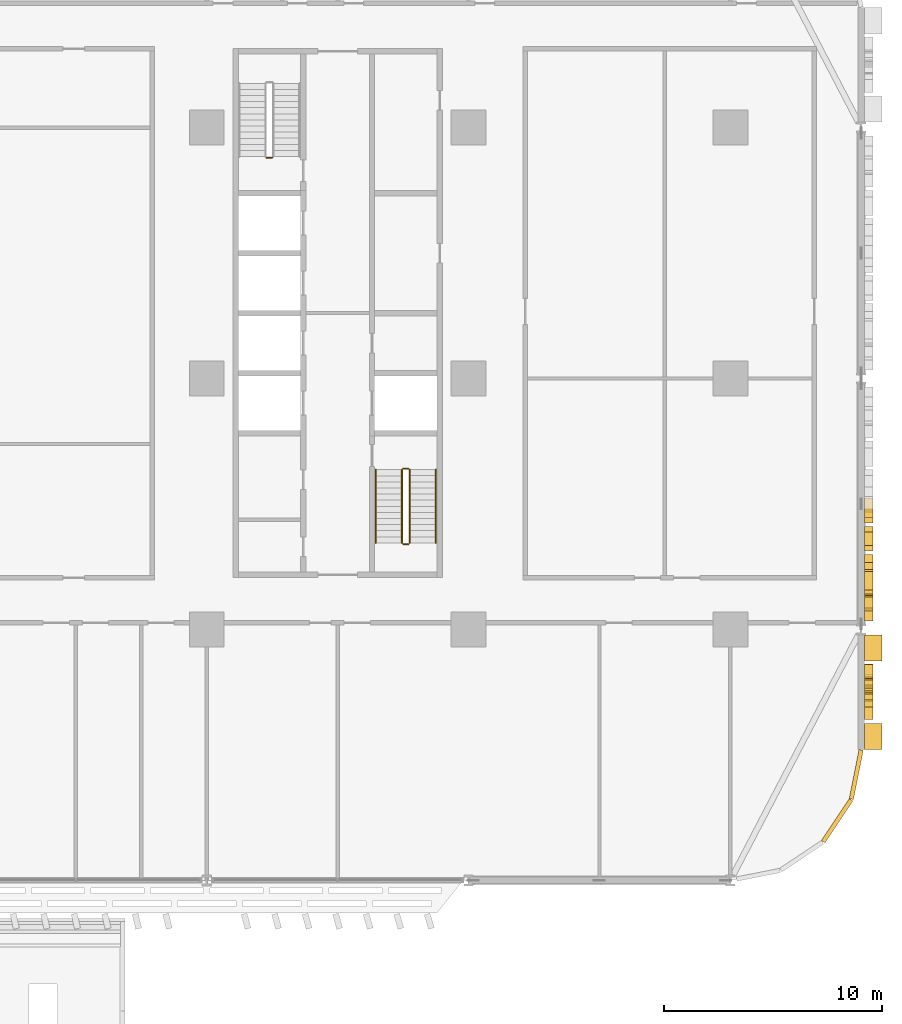
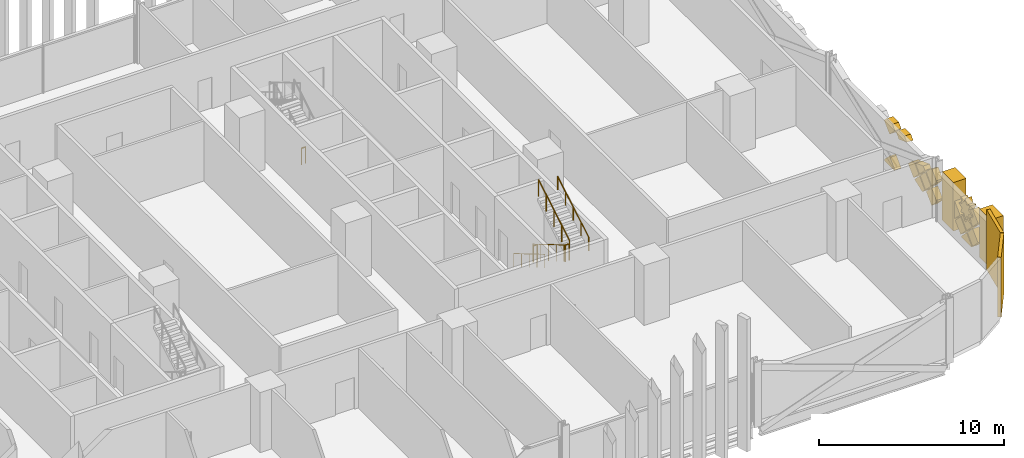
# One storey, part 29 of 31: 20 coverings, 7 railings.
"""IFC4 building model written with IfcOpenShell, lengths in metres."""

import ifcopenshell
import ifcopenshell.guid

model = None  # the IFC model being written
_history = None  # IfcOwnerHistory: only IFC2X3 demands one
_inside = {}  # id of a spatial element -> (the spatial element, [elements in it])
_under = {}  # id of a project, library or spatial element -> (it, [spatial elements below it])
_declared = {}  # id of a project -> (the project, [libraries it declares])
_typed = {}  # id of a type object -> (the type object, [elements of that type])
_made_of = {}  # id of a material, layer set ... -> (it, [elements and type objects made of it])


def new_model(schema):
    """Start an empty IFC model of exactly this schema.

    Asked for "IFC4X3", IfcOpenShell would pick the latest addendum, in which some entities
    have other attributes; the version numbers below select the first issue.
    IFC2X3 requires an IfcOwnerHistory on every rooted entity: one is made here for all.
    """
    global model, _history
    if schema == "IFC4X3":
        model = ifcopenshell.file(schema_version=(4, 3, 0, 0))
    else:
        model = ifcopenshell.file(schema=schema)
    _inside.clear()
    _under.clear()
    _declared.clear()
    _typed.clear()
    _made_of.clear()
    _history = None
    if model.schema == "IFC2X3":
        org = make("IfcOrganization", Name="unknown")
        user = make(
            "IfcPersonAndOrganization",
            ThePerson=make("IfcPerson", FamilyName="unknown"),
            TheOrganization=org,
        )
        app = make(
            "IfcApplication",
            ApplicationDeveloper=org,
            Version="unknown",
            ApplicationFullName="unknown",
            ApplicationIdentifier="unknown",
        )
        _history = make(
            "IfcOwnerHistory",
            OwningUser=user,
            OwningApplication=app,
            ChangeAction="ADDED",
            CreationDate=0,
        )
    return model


def make(cls, **values):
    """One entity of the class cls with the attributes given. An attribute that is None is left unset."""
    return model.create_entity(
        cls, **{name: value for name, value in values.items() if value is not None}
    )


def rooted(cls, **values):
    """An entity with a GlobalId (a new one), such as an element, a storey or a relation."""
    return make(cls, GlobalId=ifcopenshell.guid.new(), OwnerHistory=_history, **values)


def si_unit(unit_type, name, prefix=None):
    """IfcSIUnit, for example si_unit("LENGTHUNIT", "METRE", prefix="MILLI")."""
    return make("IfcSIUnit", UnitType=unit_type, Prefix=prefix, Name=name)


def assignment(units):
    """IfcUnitAssignment: the units of a project."""
    return None if units is None else make("IfcUnitAssignment", Units=units)


def point(xyz):
    """IfcCartesianPoint."""
    return None if xyz is None else make("IfcCartesianPoint", Coordinates=xyz)


def direction(xyz):
    """IfcDirection."""
    return None if xyz is None else make("IfcDirection", DirectionRatios=xyz)


def frame(location, z_axis=None, x_axis=None):
    """IfcAxis2Placement3D, a coordinate frame: its origin and axes. An axis left out is left unset."""
    return make(
        "IfcAxis2Placement3D",
        Location=point(location),
        Axis=direction(z_axis),
        RefDirection=direction(x_axis),
    )


def frame_2d(location, x_axis=None):
    """IfcAxis2Placement2D, a coordinate frame in the plane: its origin and x axis."""
    return make(
        "IfcAxis2Placement2D", Location=point(location), RefDirection=direction(x_axis)
    )


def origin():
    """The frame at (0, 0, 0) with its axes left unset."""
    return frame((0.0, 0.0, 0.0))


def origin_2d():
    """The frame at (0, 0) in the plane with its x axis left unset."""
    return frame_2d((0.0, 0.0))


def place(relative_to, where):
    """IfcLocalPlacement: puts the frame where relative to a parent placement (None: the world)."""
    return make(
        "IfcLocalPlacement", PlacementRelTo=relative_to, RelativePlacement=where
    )


def context(
    kind, dimensions, precision=None, world=None, true_north=None, identifier=None
):
    """IfcGeometricRepresentationContext, for example the 3D "Model" context."""
    return make(
        "IfcGeometricRepresentationContext",
        ContextIdentifier=identifier,
        ContextType=kind,
        CoordinateSpaceDimension=dimensions,
        Precision=precision,
        WorldCoordinateSystem=world,
        TrueNorth=true_north,
    )


def subcontext(parent, identifier, kind, view, scale=None):
    """IfcGeometricRepresentationSubContext, for example "Body" below "Model"."""
    return make(
        "IfcGeometricRepresentationSubContext",
        ContextIdentifier=identifier,
        ContextType=kind,
        ParentContext=parent,
        TargetScale=scale,
        TargetView=view,
    )


def project(units=None, contexts=None):
    """IfcProject with its units and contexts."""
    return rooted(
        "IfcProject",
        Name="project",
        RepresentationContexts=contexts,
        UnitsInContext=assignment(units),
    )


def spatial(cls, under=None, at=None, **own):
    """A site, building, storey or space (cls), placed at a placement, below another one or the project."""
    s = rooted(cls, ObjectPlacement=at, **own)
    if under is not None:
        _under.setdefault(under.id(), (under, []))[1].append(s)
    return s


def polyline(points):
    """IfcPolyline through the points."""
    return make("IfcPolyline", Points=[point(p) for p in points])


def profile(cls, at=None, kind="AREA", **sizes):
    """A parametric profile (cls). Its sizes go by their IFC names, for example OverallWidth=200.0."""
    return make(cls, ProfileType=kind, Position=at, **sizes)


def rectangle(**sizes):
    """IfcRectangleProfileDef."""
    return profile("IfcRectangleProfileDef", **sizes)


def circle(**sizes):
    """IfcCircleProfileDef."""
    return profile("IfcCircleProfileDef", **sizes)


def outline(outer, holes=None, kind="AREA"):
    """IfcArbitraryClosedProfileDef: a profile drawn as a closed curve; with holes, ...WithVoids."""
    if holes is None:
        return make("IfcArbitraryClosedProfileDef", ProfileType=kind, OuterCurve=outer)
    return make(
        "IfcArbitraryProfileDefWithVoids",
        ProfileType=kind,
        OuterCurve=outer,
        InnerCurves=holes,
    )


def extrude(swept, where, along, depth):
    """IfcExtrudedAreaSolid: the profile swept, set in the frame where, extruded along a direction by depth."""
    return make(
        "IfcExtrudedAreaSolid",
        SweptArea=swept,
        Position=where,
        ExtrudedDirection=direction(along),
        Depth=depth,
    )


def shape(context_of_items, identifier, shape_type, items):
    """IfcShapeRepresentation: the items that make up one representation, for example the "Body"."""
    return make(
        "IfcShapeRepresentation",
        ContextOfItems=context_of_items,
        RepresentationIdentifier=identifier,
        RepresentationType=shape_type,
        Items=items,
    )


def material(Name=None, Category=None):
    """IfcMaterial."""
    return make("IfcMaterial", Name=Name, Category=Category)


def layer(
    of_material, thickness, ventilated=None, Name=None, Category=None, Priority=None
):
    """IfcMaterialLayer: one layer of a wall or slab, of a material (None: an air gap)."""
    return make(
        "IfcMaterialLayer",
        Material=of_material,
        LayerThickness=thickness,
        IsVentilated=ventilated,
        Name=Name,
        Category=Category,
        Priority=Priority,
    )


def layer_set(layers, Name=None):
    """IfcMaterialLayerSet."""
    return make("IfcMaterialLayerSet", MaterialLayers=layers, LayerSetName=Name)


def made_of(thing, what):
    """Note that an element or type object is made of a material, layer set ...; save() writes the relation."""
    if what is not None:
        _made_of.setdefault(what.id(), (what, []))[1].append(thing)
    return thing


def type_object(cls, material=None, **own):
    """A type object (cls), such as IfcWallType, which elements share."""
    return made_of(rooted(cls, **own), material)


def element(
    cls,
    number,
    at=None,
    inside=None,
    cuts=None,
    type_object=None,
    material=None,
    context=None,
    identifier="Body",
    shape_type=None,
    held_by="IfcProductDefinitionShape",
    body=None,
    shapes=None,
    **own,
):
    """One element of the class cls, such as IfcWall. Its Tag is "e" and its number.

    at: its placement. inside: the storey or other place that contains it. cuts: it is an
    opening in that element (IfcRelVoidsElement). A single representation is given by context,
    identifier, shape_type and body (its items); several are given by shapes. held_by: the class
    of the entity that holds the representations. save() writes the other relations.
    """
    e = rooted(cls, Tag="e%d" % number, ObjectPlacement=at, **own)
    if body is not None:
        shapes = [shape(context, identifier, shape_type, body)]
    if shapes is not None:
        e.Representation = make(held_by, Representations=shapes)
    if inside is not None:
        _inside.setdefault(inside.id(), (inside, []))[1].append(e)
    if cuts is not None:
        rooted(
            "IfcRelVoidsElement", RelatingBuildingElement=cuts, RelatedOpeningElement=e
        )
    if type_object is not None:
        _typed.setdefault(type_object.id(), (type_object, []))[1].append(e)
    return made_of(e, material)


def aggregate(whole, parts):
    """IfcRelAggregates: a whole, such as a stair, and the parts it consists of."""
    return rooted("IfcRelAggregates", RelatingObject=whole, RelatedObjects=parts)


def save(model, path):
    """Write the relations noted so far, then the file.

    IfcRelAggregates (storeys below a building ...), IfcRelContainedInSpatialStructure (elements
    in a storey), IfcRelDefinesByType, IfcRelAssociatesMaterial and IfcRelDeclares: one each for
    every whole, place, type object, material and project.
    """
    for whole, parts in _under.values():
        aggregate(whole, parts)
    for where, things in _inside.values():
        rooted(
            "IfcRelContainedInSpatialStructure",
            RelatedElements=things,
            RelatingStructure=where,
        )
    for kind, things in _typed.values():
        rooted("IfcRelDefinesByType", RelatedObjects=things, RelatingType=kind)
    for what, things in _made_of.values():
        rooted("IfcRelAssociatesMaterial", RelatedObjects=things, RelatingMaterial=what)
    for by, libraries in _declared.values():
        rooted("IfcRelDeclares", RelatingContext=by, RelatedDefinitions=libraries)
    model.write(path)


model = new_model("IFC4")

# Units and contexts
model_context = context("Model", 3, precision=1e-05, world=origin(), true_north=direction((0.0, 1.0)))
body_context = subcontext(model_context, "Body", "Model", "MODEL_VIEW")
ifc_project = project(units=[si_unit("LENGTHUNIT", "METRE"), si_unit("AREAUNIT", "SQUARE_METRE"), si_unit("VOLUMEUNIT", "CUBIC_METRE"), si_unit("PLANEANGLEUNIT", "RADIAN"), si_unit("MASSUNIT", "GRAM", prefix="KILO")], contexts=[model_context])

# Site, building, storey
site_placement = place(None, origin())
site = spatial("IfcSite", under=ifc_project, at=site_placement, CompositionType="ELEMENT")
building_placement = place(site_placement, origin())
building = spatial("IfcBuilding", under=site, at=building_placement, Name="Mahtab Terrace Research Tower", CompositionType="ELEMENT")
storey_placement = place(building_placement, frame((0.0, 0.0, 11.5)))
storey = spatial("IfcBuildingStorey", under=building, at=storey_placement, Name="L02", CompositionType="ELEMENT", Elevation=11.5)

# Coverings
ifc_material_1 = material(Name="Black aluminium cladding panel", Category="aluminium")
ifc_layer_1 = layer(ifc_material_1, 0.199951171875)
ifc_layer_set_1 = layer_set([ifc_layer_1], Name="Black metal corner cladding 200")
covering_type_1 = type_object("IfcCoveringType", Name="Black metal corner cladding 200", PredefinedType="CLADDING", material=ifc_layer_set_1)
for number, where, z_axis, x_axis, name in (
    (1, (46.89306640625, -20.26953125, 0.0), (0.0, 0.0, 1.0), (0.555291490808, 0.831655794326, 0.0), "Corner cladding L02 31"),
    (2, (47.771484375, -18.14794921875, 0.0), (0.0, 0.0, 1.0), (0.195212442692, 0.980760981187, 0.0), "Corner cladding L02 32"),
):
    element("IfcCovering", number, at=place(storey_placement, frame(where, z_axis=z_axis, x_axis=x_axis)), inside=storey, type_object=covering_type_1, Name=name, PredefinedType="CLADDING", context=body_context, shape_type="SweptSolid", body=[
        extrude(rectangle(XDim=2.30126953125, YDim=0.199951171875, at=origin_2d()), origin(), (0.0, 0.0, 1.0), 3.9599609375),
    ])
ifc_material_2 = material(Name="Bronze anodised aluminium", Category="aluminium")
ifc_layer_2 = layer(ifc_material_2, 0.39990234375)
ifc_layer_set_2 = layer_set([ifc_layer_2], Name="Mashrabiya relief panel 400")
covering_type_2 = type_object("IfcCoveringType", Name="Mashrabiya relief panel 400", PredefinedType="CLADDING", material=ifc_layer_set_2)
covering_1_placement = place(storey_placement, frame((48.14990234375, -14.10498046875, 2.60107421875), z_axis=(-1.0, 0.0, 0.0), x_axis=(0.0, 0.924784909208, 0.380490304346)))
element("IfcCovering", 3, at=covering_1_placement, inside=storey, type_object=covering_type_2, Name="Girih star panel L02 E33.1", PredefinedType="CLADDING", context=body_context, shape_type="SweptSolid", body=[
    extrude(outline(polyline([(0.0, 0.0), (0.3785719822676483, 0.0), (0.11215445471266995, 0.26895807623038387), (0.37961207055159285, 0.5358142483447127), (0.0017974035497291263, 0.5371818243111587), (0.0017974035497291263, 0.9157538065788071), (-0.26716067268065474, 0.6493362790238286), (-0.5340168447949836, 0.9167938948627515), (-0.5353844207614296, 0.5389792278608878), (-0.9139564030290779, 0.5389792278608878), (-0.6475388754740995, 0.270021151630504), (-0.9149964913130224, 0.0031649795161750593), (-0.5371818243111587, 0.0017974035497291263), (-0.5371818243111587, -0.3767745787179192), (-0.2682237480807748, -0.11035705116294083), (-0.0013675759664459608, -0.3778146670018637), (0.0, 0.0)])), origin(), (0.0, 0.0, -1.0), 0.39990234375),
])
covering_2_placement = place(storey_placement, frame((48.14990234375, -15.050048828125, 1.429931640625), z_axis=(-1.0, 0.0, 0.0), x_axis=(0.0, 0.707255598772, -0.706957932274)))
element("IfcCovering", 4, at=covering_2_placement, inside=storey, type_object=covering_type_2, Name="Mashrabiya lattice cell L02 E33.2", PredefinedType="CLADDING", context=body_context, shape_type="SweptSolid", body=[
    extrude(outline(polyline([(0.0, 0.0), (0.8201817362875763, 0.0), (0.8200090664636573, 0.8203543334390104), (-0.00017259715143413956, 0.8200090664636573), (0.0, 0.0)])), origin(), (0.0, 0.0, -1.0), 0.39990234375),
])
covering_3_placement = place(storey_placement, frame((48.14990234375, -15.050048828125, 1.570068359375), z_axis=(-1.0, 0.0, 0.0), x_axis=(0.0, -0.707106781187, 0.707106781187)))
element("IfcCovering", 5, at=covering_3_placement, inside=storey, type_object=covering_type_2, Name="Mashrabiya lattice cell L02 E33.3", PredefinedType="CLADDING", context=body_context, shape_type="SweptSolid", body=[
    extrude(outline(polyline([(0.0, 0.0), (0.8200090846279543, 0.0), (0.820181718119455, 0.820181718119455), (0.4453944080716047, 0.8203543516109556), (0.5450039326674636, 0.5536356072424946), (0.5232521127383852, 0.47802213796522225), (0.4630030242046681, 0.42778579193854127), (0.37254307465834224, 0.4222615202105213), (0.13361832242148142, 0.5196268094168721), (0.035217232266126886, 0.28415472701002376), (-0.00017263349150062335, 0.24185952159237137), (0.0, 0.0)])), origin(), (0.0, 0.0, -1.0), 0.39990234375),
])
covering_4_placement = place(storey_placement, frame((48.14990234375, -14.97998046875, 0.199951171875), z_axis=(-1.0, 0.0, 0.0), x_axis=(0.0, 0.707106781187, 0.707106781187)))
element("IfcCovering", 6, at=covering_4_placement, inside=storey, type_object=covering_type_2, Name="Mashrabiya lattice cell L02 E33.4", PredefinedType="CLADDING", context=body_context, shape_type="SweptSolid", body=[
    extrude(outline(polyline([(0.0, 0.0), (0.8203543516109556, 0.0), (0.820181718119455, 0.820181718119455), (0.7283407006411241, 0.820181718119455), (0.0, 0.09184101747833089), (0.0, 0.0)])), origin(), (0.0, 0.0, -1.0), 0.39990234375),
])
covering_5_placement = place(storey_placement, frame((48.14990234375, -13.820068359375, 1.5), z_axis=(-1.0, 0.0, 0.0), x_axis=(0.0, -0.706957932274, -0.707255598772)))
element("IfcCovering", 7, at=covering_5_placement, inside=storey, type_object=covering_type_2, Name="Mashrabiya lattice cell L02 E33.5", PredefinedType="CLADDING", context=body_context, shape_type="SweptSolid", body=[
    extrude(outline(polyline([(0.0, 0.0), (0.8201817362875763, 0.0), (0.8200090664636573, 0.8203543334390104), (0.6080151435968424, 0.8203097125333344), (0.586621090792337, 0.7609192870785395), (0.5470963431139162, 0.7213778974010961), (0.30042529066822354, 0.6158469119403185), (0.3978408670772946, 0.3769426586366778), (0.3888849280662249, 0.2771586132750213), (0.334344518902972, 0.22121388101521539), (0.2573533990060128, 0.2049701272095052), (-0.00023662161055562625, 0.30400753546217874), (0.0, 0.0)])), origin(), (0.0, 0.0, -1.0), 0.39990234375),
])
covering_6_placement = place(storey_placement, frame((48.14990234375, -13.75, 1.429931640625), z_axis=(-1.0, 0.0, 0.0), x_axis=(0.0, 0.707255598772, -0.706957932274)))
element("IfcCovering", 8, at=covering_6_placement, inside=storey, type_object=covering_type_2, Name="Mashrabiya lattice cell L02 E33.6", PredefinedType="CLADDING", context=body_context, shape_type="SweptSolid", body=[
    extrude(outline(polyline([(0.0, 0.0), (0.8201817362875763, 0.0), (0.8200090664636573, 0.8203543334390104), (-0.0003452669753531423, 0.8201816636150915), (0.0, 0.0)])), origin(), (0.0, 0.0, -1.0), 0.39990234375),
])
covering_7_placement = place(storey_placement, frame((48.14990234375, -13.10009765625, 0.919921875), z_axis=(-1.0, 0.0, 0.0), x_axis=(0.0, -0.706957932274, 0.707255598772)))
element("IfcCovering", 9, at=covering_7_placement, inside=storey, type_object=covering_type_2, Name="Mashrabiya lattice cell L02 E33.7", PredefinedType="CLADDING", context=body_context, shape_type="SweptSolid", body=[
    extrude(outline(polyline([(0.0, 0.0), (0.8201817362875763, 0.0), (0.8205270032629295, 0.8201816636150915), (0.7977393828896235, 0.8201864599990892), (4.796383997748149e-06, 0.022787620373305846), (0.0, 0.0)])), origin(), (0.0, 0.0, -1.0), 0.39990234375),
])
covering_8_placement = place(storey_placement, frame((48.14990234375, -10.60107421875, 1.429931640625), z_axis=(-1.0, 0.0, 0.0), x_axis=(0.0, 0.707255598772, -0.706957932274)))
element("IfcCovering", 10, at=covering_8_placement, inside=storey, type_object=covering_type_2, Name="Mashrabiya lattice cell L02 E34.1", PredefinedType="CLADDING", context=body_context, shape_type="SweptSolid", body=[
    extrude(outline(polyline([(0.0, 0.0), (0.8201817362875763, 0.0), (0.8200090664636573, 0.8203543334390104), (0.09184101544392964, 0.8202010671685369), (-0.0001532662704735177, 0.7281680510197277), (0.0, 0.0)])), origin(), (0.0, 0.0, -1.0), 0.39990234375),
])
covering_9_placement = place(storey_placement, frame((48.14990234375, -10.02099609375, 2.14990234375), z_axis=(-1.0, 0.0, 0.0), x_axis=(0.0, -0.707255598772, -0.706957932274)))
element("IfcCovering", 11, at=covering_9_placement, inside=storey, type_object=covering_type_2, Name="Mashrabiya lattice cell L02 E34.2", PredefinedType="CLADDING", context=body_context, shape_type="SweptSolid", body=[
    extrude(outline(polyline([(0.0, 0.0), (0.8201817362875763, 0.0), (0.8203350025580498, 0.7281680510197277), (0.7283407208436468, 0.8202010671685369), (0.06093965748606789, 0.8203415430816832), (0.0001444002273262024, 0.6860454800266472), (0.0, 0.0)])), origin(), (0.0, 0.0, -1.0), 0.39990234375),
])
covering_10_placement = place(storey_placement, frame((48.14990234375, -9.950927734375, 2.080078125), z_axis=(-1.0, 0.0, 0.0), x_axis=(0.0, 0.706957932274, -0.707255598772)))
element("IfcCovering", 12, at=covering_10_placement, inside=storey, type_object=covering_type_2, Name="Mashrabiya lattice cell L02 E34.3", PredefinedType="CLADDING", context=body_context, shape_type="SweptSolid", body=[
    extrude(outline(polyline([(0.0, 0.0), (0.8201817362875763, 0.0), (0.8205270032629295, 0.8201816636150915), (0.00017266982391900276, 0.8203543334390104), (0.0, 0.0)])), origin(), (0.0, 0.0, -1.0), 0.39990234375),
])
covering_11_placement = place(storey_placement, frame((48.14990234375, -9.881103515625, 0.85009765625), z_axis=(-1.0, 0.0, 0.0), x_axis=(0.0, 0.707255598772, 0.706957932274)))
element("IfcCovering", 13, at=covering_11_placement, inside=storey, type_object=covering_type_2, Name="Mashrabiya lattice cell L02 E34.4", PredefinedType="CLADDING", context=body_context, shape_type="SweptSolid", body=[
    extrude(outline(polyline([(0.0, 0.0), (0.8201817362875763, 0.0), (0.8205171924774795, 0.7735706219424204), (8.430008238469178e-05, 0.4005096914096179), (0.0, 0.0)])), origin(), (0.0, 0.0, -1.0), 0.39990234375),
])
covering_12_placement = place(storey_placement, frame((48.14990234375, -9.301025390625, 1.570068359375), z_axis=(-1.0, 0.0, 0.0), x_axis=(0.0, -0.707255598772, 0.706957932274)))
element("IfcCovering", 14, at=covering_12_placement, inside=storey, type_object=covering_type_2, Name="Mashrabiya lattice cell L02 E34.5", PredefinedType="CLADDING", context=body_context, shape_type="SweptSolid", body=[
    extrude(outline(polyline([(0.0, 0.0), (0.8201817362875763, 0.0), (0.8201272319239655, 0.2589502315148392), (-0.00013306331969514806, 0.6321838318715607), (0.0, 0.0)])), origin(), (0.0, 0.0, -1.0), 0.39990234375),
])
covering_13_placement = place(storey_placement, frame((48.14990234375, -9.23095703125, 1.5), z_axis=(-1.0, 0.0, 0.0), x_axis=(0.0, 0.707106781187, 0.707106781187)))
element("IfcCovering", 15, at=covering_13_placement, inside=storey, type_object=covering_type_2, Name="Mashrabiya lattice cell L02 E34.6", PredefinedType="CLADDING", context=body_context, shape_type="SweptSolid", body=[
    extrude(outline(polyline([(0.0, 0.0), (0.6774138206484406, 0.0), (0.820181718119455, 0.3126392531076264), (0.820181718119455, 0.820181718119455), (-0.0001726334915006511, 0.81880065018745), (0.0, 0.0)])), origin(), (0.0, 0.0, -1.0), 0.39990234375),
])
covering_14_placement = place(storey_placement, frame((48.14990234375, -6.77099609375, 2.800048828125), z_axis=(-1.0, 0.0, 0.0), x_axis=(0.0, -0.707106781187, -0.707106781187)))
element("IfcCovering", 16, at=covering_14_placement, inside=storey, type_object=covering_type_2, Name="Mashrabiya lattice cell L02 E34.7", PredefinedType="CLADDING", context=body_context, shape_type="SweptSolid", body=[
    extrude(outline(polyline([(0.0, 0.0), (0.4243331221085288, 0.0), (0.7977393642243741, 0.820181718119455), (0.4412512042755897, 0.8203543516109556), (0.0, 0.3791031473353658), (0.0, 0.0)])), origin(), (0.0, 0.0, -1.0), 0.39990234375),
])
covering_15_placement = place(storey_placement, frame((48.14990234375, -6.631103515625, 0.199951171875), z_axis=(-1.0, 0.0, 0.0), x_axis=(0.0, 0.707271781012, 0.70694174285)))
element("IfcCovering", 17, at=covering_15_placement, inside=storey, type_object=covering_type_2, Name="Mashrabiya lattice cell L02 E34.8", PredefinedType="CLADDING", context=body_context, shape_type="SweptSolid", body=[
    extrude(outline(polyline([(0.0, 0.0), (0.7397345312240962, 0.0), (0.8203629508740169, 0.03675211825696212), (0.8205457771897919, 0.8201628813534925), (0.7287047622124111, 0.8201843144958443), (0.0001941069170129303, 0.09201360817631885), (0.0, 0.0)])), origin(), (0.0, 0.0, -1.0), 0.39990234375),
])
covering_16_placement = place(storey_placement, frame((48.14990234375, -5.470947265625, 2.800048828125), z_axis=(-1.0, 0.0, 0.0), x_axis=(0.0, -0.707106781187, -0.707106781187)))
element("IfcCovering", 18, at=covering_16_placement, inside=storey, type_object=covering_type_2, Name="Mashrabiya lattice cell L02 E34.9", PredefinedType="CLADDING", context=body_context, shape_type="SweptSolid", body=[
    extrude(outline(polyline([(0.0, 0.0), (0.8203543516109556, 0.0), (0.8203543516109556, 0.8203543516109556), (0.4412512042755897, 0.8203543516109556), (0.0, 0.3791031473353658), (0.0, 0.0)])), origin(), (0.0, 0.0, -1.0), 0.39990234375),
])
ifc_material_3 = material(Name="Glazed ceramic tile cladding", Category="masonry")
ifc_layer_3 = layer(ifc_material_3, 0.800048828125)
ifc_layer_set_3 = layer_set([ifc_layer_3], Name="Pishtaq frame pier 800")
covering_type_3 = type_object("IfcCoveringType", Name="Pishtaq frame pier 800", PredefinedType="CLADDING", material=ifc_layer_set_3)
for number, where, z_axis, x_axis, name in (
    (19, (48.550048828125, -16.39990234375, 0.00048828125), (0.0, 0.0, 1.0), (0.0, 1.0, 0.0), "Pishtaq frame pier 33a"),
    (20, (48.550048828125, -12.34912109375, 0.00048828125), (0.0, 0.0, 1.0), (0.0, 1.0, 0.0), "Pishtaq frame pier 33b"),
):
    element("IfcCovering", number, at=place(storey_placement, frame(where, z_axis=z_axis, x_axis=x_axis)), inside=storey, type_object=covering_type_3, Name=name, PredefinedType="CLADDING", context=body_context, shape_type="SweptSolid", body=[
        extrude(rectangle(XDim=1.199951171875, YDim=0.800048828125, at=origin_2d()), origin(), (0.0, 0.0, 1.0), 3.202880859375),
    ])

# Railings
ifc_material_4 = material(Name="Stainless steel AISI 304", Category="steel")
railing_type_1 = type_object("IfcRailingType", Name="Stair guard 1100", PredefinedType="GUARDRAIL", material=ifc_material_4)
railing_1_placement = place(storey_placement, frame((21.0, 10.125, 0.0)))
element("IfcRailing", 21, at=railing_1_placement, inside=storey, type_object=railing_type_1, Name="L02 ST3 stair guard 4", PredefinedType="GUARDRAIL", context=body_context, shape_type="SweptSolid", body=[
    extrude(circle(Radius=0.02392578125, at=origin_2d()), frame((0.0, 0.0, 1.076171875), z_axis=(-1.0, 0.0, 0.0), x_axis=(0.0, -1.0, 0.0)), (0.0, 0.0, 1.0), 0.25),
    extrude(circle(Radius=0.02099609375, at=origin_2d()), origin(), (0.0, 0.0, 1.0), 1.052001953125),
    extrude(circle(Radius=0.02099609375, at=origin_2d()), frame((-0.25, 0.0, 0.0)), (0.0, 0.0, 1.0), 1.052001953125),
])
railing_2_placement = place(storey_placement, frame((26.949951171875, -4.175048828125, 0.165283203125)))
element("IfcRailing", 22, at=railing_2_placement, inside=storey, type_object=railing_type_1, Name="L02 ST4 stair guard 1", PredefinedType="GUARDRAIL", context=body_context, shape_type="SweptSolid", body=[
    extrude(circle(Radius=0.02392578125, at=origin_2d()), frame((0.0, 0.0, 1.076171875), z_axis=(0.0, -0.861011212953, 0.508585972249), x_axis=(1.0, 0.0, 0.0)), (0.0, 0.0, 1.0), 3.90234375),
    extrude(circle(Radius=0.02099609375, at=origin_2d()), origin(), (0.0, 0.0, 1.0), 1.052001953125),
    extrude(circle(Radius=0.02099609375, at=origin_2d()), frame((0.0, -0.83984375, 0.49609375)), (0.0, 0.0, 1.0), 1.052001953125),
    extrude(circle(Radius=0.02099609375, at=origin_2d()), frame((0.0, -1.679931640625, 0.9921875)), (0.0, 0.0, 1.0), 1.052001953125),
    extrude(circle(Radius=0.02099609375, at=origin_2d()), frame((0.0, -2.52001953125, 1.488525390625)), (0.0, 0.0, 1.0), 1.052001953125),
    extrude(circle(Radius=0.02099609375, at=origin_2d()), frame((0.0, -3.35986328125, 1.984619140625)), (0.0, 0.0, 1.0), 1.052001953125),
])
railing_3_placement = place(storey_placement, frame((27.0, -7.5849609375, 2.14990234375)))
element("IfcRailing", 23, at=railing_3_placement, inside=storey, type_object=railing_type_1, Name="L02 ST4 stair guard 2", PredefinedType="GUARDRAIL", context=body_context, shape_type="SweptSolid", body=[
    extrude(circle(Radius=0.02392578125, at=origin_2d()), frame((0.0, 0.0, 1.076171875), z_axis=(1.0, 0.0, 0.0), x_axis=(0.0, 1.0, 0.0)), (0.0, 0.0, 1.0), 0.25),
    extrude(circle(Radius=0.02099609375, at=origin_2d()), origin(), (0.0, 0.0, 1.0), 1.052001953125),
    extrude(circle(Radius=0.02099609375, at=origin_2d()), frame((0.25, 0.0, 0.0)), (0.0, 0.0, 1.0), 1.052001953125),
])
railing_4_placement = place(storey_placement, frame((27.300048828125, -7.534912109375, 2.3154296875)))
element("IfcRailing", 24, at=railing_4_placement, inside=storey, type_object=railing_type_1, Name="L02 ST4 stair guard 3", PredefinedType="GUARDRAIL", context=body_context, shape_type="SweptSolid", body=[
    extrude(circle(Radius=0.02392578125, at=origin_2d()), frame((0.0, 0.0, 1.076171875), z_axis=(0.0, 0.861011212953, 0.508585972249), x_axis=(-1.0, 0.0, 0.0)), (0.0, 0.0, 1.0), 3.90234375),
    extrude(circle(Radius=0.02099609375, at=origin_2d()), origin(), (0.0, 0.0, 1.0), 1.052001953125),
    extrude(circle(Radius=0.02099609375, at=origin_2d()), frame((0.0, 0.83984375, 0.49609375)), (0.0, 0.0, 1.0), 1.052001953125),
    extrude(circle(Radius=0.02099609375, at=origin_2d()), frame((0.0, 1.679931640625, 0.9921875)), (0.0, 0.0, 1.0), 1.052001953125),
    extrude(circle(Radius=0.02099609375, at=origin_2d()), frame((0.0, 2.52001953125, 1.488525390625)), (0.0, 0.0, 1.0), 1.052001953125),
    extrude(circle(Radius=0.02099609375, at=origin_2d()), frame((0.0, 3.35986328125, 1.984619140625)), (0.0, 0.0, 1.0), 1.052001953125),
])
railing_5_placement = place(storey_placement, frame((27.0, -4.125, 0.0)))
element("IfcRailing", 25, at=railing_5_placement, inside=storey, type_object=railing_type_1, Name="L02 ST4 stair guard 4", PredefinedType="GUARDRAIL", context=body_context, shape_type="SweptSolid", body=[
    extrude(circle(Radius=0.02392578125, at=origin_2d()), frame((0.0, 0.0, 1.076171875), z_axis=(1.0, 0.0, 0.0), x_axis=(0.0, 1.0, 0.0)), (0.0, 0.0, 1.0), 0.25),
    extrude(circle(Radius=0.02099609375, at=origin_2d()), origin(), (0.0, 0.0, 1.0), 1.052001953125),
    extrude(circle(Radius=0.02099609375, at=origin_2d()), frame((0.25, 0.0, 0.0)), (0.0, 0.0, 1.0), 1.052001953125),
])
railing_type_2 = type_object("IfcRailingType", Name="Stair handrail 900", PredefinedType="HANDRAIL", material=ifc_material_4)
railing_6_placement = place(storey_placement, frame((25.75, -4.175048828125, 0.165283203125)))
element("IfcRailing", 26, at=railing_6_placement, inside=storey, type_object=railing_type_2, Name="L02 ST4 stair handrail 1", PredefinedType="HANDRAIL", context=body_context, shape_type="SweptSolid", body=[
    extrude(circle(Radius=0.02392578125, at=origin_2d()), frame((0.0, 0.0, 0.8759765625), z_axis=(0.0, -0.861011212953, 0.508585972249), x_axis=(1.0, 0.0, 0.0)), (0.0, 0.0, 1.0), 3.90234375),
    extrude(circle(Radius=0.02099609375, at=origin_2d()), origin(), (0.0, 0.0, 1.0), 0.851806640625),
    extrude(circle(Radius=0.02099609375, at=origin_2d()), frame((0.0, -0.83984375, 0.49609375)), (0.0, 0.0, 1.0), 0.851806640625),
    extrude(circle(Radius=0.02099609375, at=origin_2d()), frame((0.0, -1.679931640625, 0.9921875)), (0.0, 0.0, 1.0), 0.851806640625),
    extrude(circle(Radius=0.02099609375, at=origin_2d()), frame((0.0, -2.52001953125, 1.488525390625)), (0.0, 0.0, 1.0), 0.851806640625),
    extrude(circle(Radius=0.02099609375, at=origin_2d()), frame((0.0, -3.35986328125, 1.984619140625)), (0.0, 0.0, 1.0), 0.851806640625),
])
railing_7_placement = place(storey_placement, frame((28.5, -7.534912109375, 2.3154296875)))
element("IfcRailing", 27, at=railing_7_placement, inside=storey, type_object=railing_type_2, Name="L02 ST4 stair handrail 2", PredefinedType="HANDRAIL", context=body_context, shape_type="SweptSolid", body=[
    extrude(circle(Radius=0.02392578125, at=origin_2d()), frame((0.0, 0.0, 0.8759765625), z_axis=(0.0, 0.861011212953, 0.508585972249), x_axis=(-1.0, 0.0, 0.0)), (0.0, 0.0, 1.0), 3.90234375),
    extrude(circle(Radius=0.02099609375, at=origin_2d()), origin(), (0.0, 0.0, 1.0), 0.851806640625),
    extrude(circle(Radius=0.02099609375, at=origin_2d()), frame((0.0, 0.83984375, 0.49609375)), (0.0, 0.0, 1.0), 0.851806640625),
    extrude(circle(Radius=0.02099609375, at=origin_2d()), frame((0.0, 1.679931640625, 0.9921875)), (0.0, 0.0, 1.0), 0.851806640625),
    extrude(circle(Radius=0.02099609375, at=origin_2d()), frame((0.0, 2.52001953125, 1.488525390625)), (0.0, 0.0, 1.0), 0.851806640625),
    extrude(circle(Radius=0.02099609375, at=origin_2d()), frame((0.0, 3.35986328125, 1.984619140625)), (0.0, 0.0, 1.0), 0.851806640625),
])

save(model, "model.ifc")
